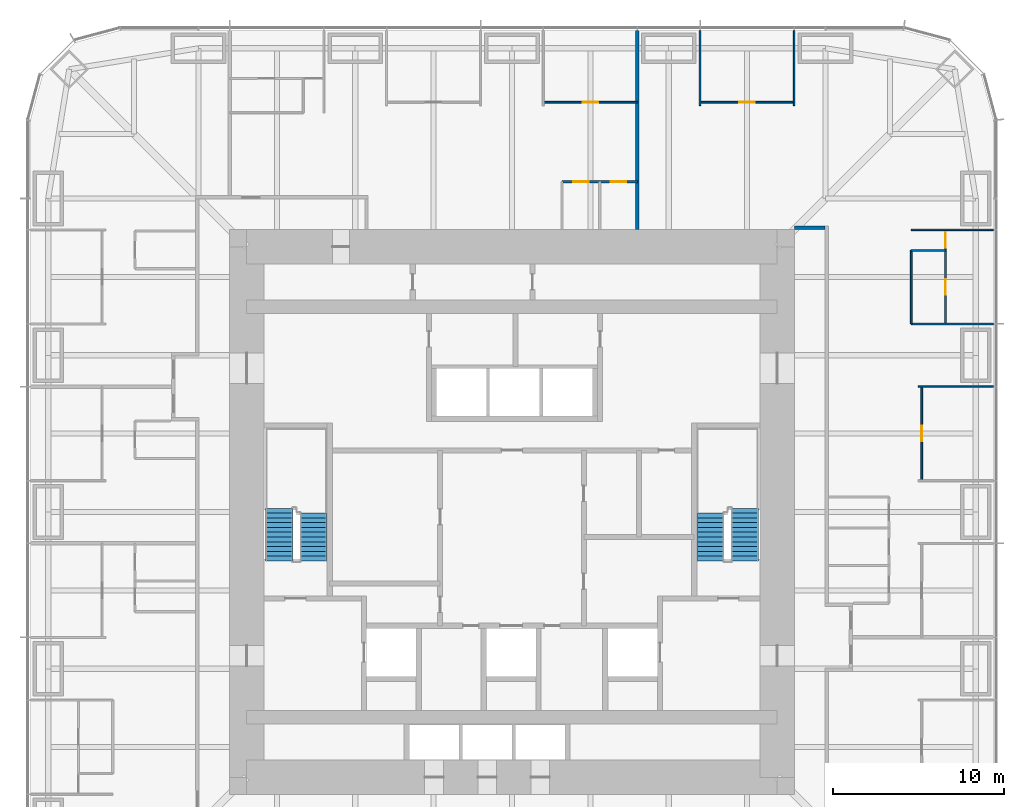
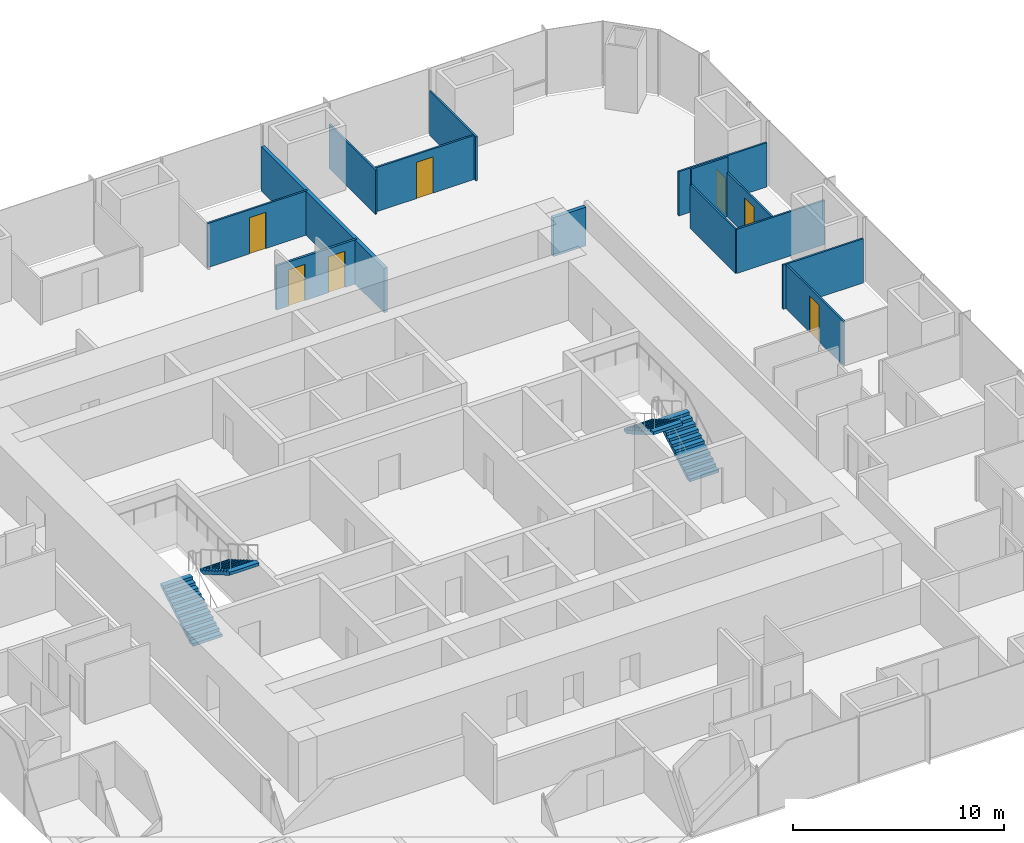
# One storey, part 11 of 12: 14 walls, 7 doors, 4 stair flights, 7 openings, 2 elements without a shape of their own.
"""IFC4 building model written with IfcOpenShell, lengths in metres."""

from ifc_helpers import new_model, si_unit, direction, frame, frame_2d, origin, place, context, subcontext, project, spatial, polyline, rectangle, outline, extrude, material, layer, layer_set, type_object, element, fill, aggregate, save


model = new_model("IFC4")

# Units and contexts
model_context = context("Model", 3, precision=1e-05, world=origin(), true_north=direction((0.0, 1.0)))
body_context = subcontext(model_context, "Body", "Model", "MODEL_VIEW")
ifc_project = project(units=[si_unit("LENGTHUNIT", "METRE"), si_unit("AREAUNIT", "SQUARE_METRE"), si_unit("VOLUMEUNIT", "CUBIC_METRE"), si_unit("PLANEANGLEUNIT", "RADIAN"), si_unit("MASSUNIT", "GRAM", prefix="KILO")], contexts=[model_context])

# Site, building, storey
site_placement = place(None, origin())
site = spatial("IfcSite", under=ifc_project, at=site_placement, CompositionType="ELEMENT")
building_placement = place(site_placement, origin())
building = spatial("IfcBuilding", under=site, at=building_placement, Name="Khuree Lantern Residences", CompositionType="ELEMENT")
storey_placement = place(building_placement, frame((0.0, 0.0, 182.25)))
storey = spatial("IfcBuildingStorey", under=building, at=storey_placement, Name="L46", CompositionType="ELEMENT", Elevation=182.25)

# Wall, openings, doors
ifc_material_1 = material(Name="Moisture-resistant gypsum board on steel studs", Category="steel")
ifc_layer_1 = layer(ifc_material_1, 0.125)
ifc_layer_set_1 = layer_set([ifc_layer_1], Name="BATHROOM WALL BTW125")
wall_type_1 = type_object("IfcWallType", Name="BATHROOM WALL BTW125", PredefinedType="PARTITIONING", material=ifc_layer_set_1)
wall_1_placement = place(storey_placement, frame((7.327880859375, 19.300048828125, 0.0), z_axis=(0.0, 0.0, 1.0), x_axis=(-1.0, 0.0, 0.0)))
wall_1 = element("IfcWall", 1, at=wall_1_placement, inside=storey, type_object=wall_type_1, Name="L46 BATHROOM WALL 02", PredefinedType="PARTITIONING", context=body_context, shape_type="SweptSolid", body=[
    extrude(rectangle(XDim=4.39990234375, YDim=0.125, at=frame_2d((2.199951171875, 0.0))), origin(), (0.0, 0.0, 1.0), 2.56005859375),
])
opening_1_placement = place(wall_1_placement, frame((0.64990234375, 0.0, 0.0)))
opening_1 = element("IfcOpeningElement", 2, at=opening_1_placement, cuts=wall_1, Name="Opening 46-039", PredefinedType="OPENING", context=body_context, shape_type="SweptSolid", body=[
    extrude(rectangle(XDim=0.89990234375, YDim=2.10009765625, at=frame_2d((0.449951171875, 1.050048828125))), frame((0.0, 0.072509765625, 0.0), z_axis=(0.0, -1.0, 0.0), x_axis=(1.0, 0.0, 0.0)), (0.0, 0.0, 1.0), 0.14501953125),
])
opening_2_placement = place(wall_1_placement, frame((2.85009765625, 0.0, 0.0)))
opening_2 = element("IfcOpeningElement", 3, at=opening_2_placement, cuts=wall_1, Name="Opening 46-040", PredefinedType="OPENING", context=body_context, shape_type="SweptSolid", body=[
    extrude(rectangle(XDim=0.89990234375, YDim=2.10009765625, at=frame_2d((0.449951171875, 1.050048828125))), frame((0.0, 0.072509765625, 0.0), z_axis=(0.0, -1.0, 0.0), x_axis=(1.0, 0.0, 0.0)), (0.0, 0.0, 1.0), 0.14501953125),
])
ifc_material_2 = material(Name="Timber door leaf in hardwood frame", Category="wood")
door_type_1 = type_object("IfcDoorType", Name="BATHROOM DOOR 900X2100", OperationType="SINGLE_SWING_LEFT", PredefinedType="DOOR", material=ifc_material_2)
door_1_placement = place(opening_1_placement, origin())
door_1 = element("IfcDoor", 4, at=door_1_placement, inside=storey, type_object=door_type_1, Name="Bathroom door 46-039", OperationType="SINGLE_SWING_LEFT", OverallHeight=2.10009765625, OverallWidth=0.89990234375, PredefinedType="DOOR", context=body_context, shape_type="SweptSolid", body=[
    extrude(rectangle(XDim=0.89990234375, YDim=2.10009765625, at=frame_2d((0.449951171875, 1.050048828125))), frame((0.0, 0.02490234375, 0.0), z_axis=(0.0, -1.0, 0.0), x_axis=(1.0, 0.0, 0.0)), (0.0, 0.0, 1.0), 0.050048828125),
])
fill(opening_1, door_1)
door_2_placement = place(opening_2_placement, origin())
door_2 = element("IfcDoor", 5, at=door_2_placement, inside=storey, type_object=door_type_1, Name="Bathroom door 46-040", OperationType="SINGLE_SWING_LEFT", OverallHeight=2.10009765625, OverallWidth=0.89990234375, PredefinedType="DOOR", context=body_context, shape_type="SweptSolid", body=[
    extrude(rectangle(XDim=0.89990234375, YDim=2.10009765625, at=frame_2d((0.449951171875, 1.050048828125))), frame((0.0, 0.02490234375, 0.0), z_axis=(0.0, -1.0, 0.0), x_axis=(1.0, 0.0, 0.0)), (0.0, 0.0, 1.0), 0.050048828125),
])
fill(opening_2, door_2)

# Walls
ifc_material_3 = material(Name="Gypsum board on steel studs", Category="steel")
ifc_layer_2 = layer(ifc_material_3, 0.199951171875)
ifc_layer_set_2 = layer_set([ifc_layer_2], Name="CORRIDOR WALL CRW200 EI 60")
wall_type_2 = type_object("IfcWallType", Name="CORRIDOR WALL CRW200 EI 60", PredefinedType="PARTITIONING", material=ifc_layer_set_2)
wall_2_placement = place(storey_placement, frame((16.5, 16.60009765625, 0.0), z_axis=(0.0, 0.0, 1.0), x_axis=(1.0, 0.0, 0.0)))
element("IfcWall", 6, at=wall_2_placement, inside=storey, type_object=wall_type_2, Name="L46 EAST CORRIDOR NORTH END WALL", PredefinedType="PARTITIONING", context=body_context, shape_type="SweptSolid", body=[
    extrude(rectangle(XDim=1.800048828125, YDim=0.199951171875, at=frame_2d((0.89990234375, 0.0))), origin(), (0.0, 0.0, 1.0), 2.25),
])
ifc_layer_3 = layer(ifc_material_3, 0.199951171875)
ifc_layer_set_3 = layer_set([ifc_layer_3], Name="DEMISING WALL DMW200 EI 90")
wall_type_3 = type_object("IfcWallType", Name="DEMISING WALL DMW200 EI 90", PredefinedType="PARTITIONING", material=ifc_layer_set_3)
wall_3_placement = place(storey_placement, frame((7.327880859375, 16.5, 0.0), z_axis=(0.0, 0.0, 1.0), x_axis=(0.0, 1.0, 0.0)))
element("IfcWall", 7, at=wall_3_placement, inside=storey, type_object=wall_type_3, Name="L46 DEMISING WALL 02", PredefinedType="PARTITIONING", context=body_context, shape_type="SweptSolid", body=[
    extrude(rectangle(XDim=11.64990234375, YDim=0.199951171875, at=frame_2d((5.824951171875, 0.0))), origin(), (0.0, 0.0, 1.0), 2.56005859375),
])
ifc_layer_4 = layer(ifc_material_3, 0.10009765625)
ifc_layer_set_4 = layer_set([ifc_layer_4], Name="PARTITION PT100")
wall_type_4 = type_object("IfcWallType", Name="PARTITION PT100", PredefinedType="PARTITIONING", material=ifc_layer_set_4)
wall_4_placement = place(storey_placement, frame((23.75, 7.327880859375, 0.0), z_axis=(0.0, 0.0, 1.0), x_axis=(1.0, 0.0, 0.0)))
element("IfcWall", 8, at=wall_4_placement, inside=storey, type_object=wall_type_4, Name="L46 PARTITION 01", PredefinedType="PARTITIONING", context=body_context, shape_type="SweptSolid", body=[
    extrude(rectangle(XDim=4.39990234375, YDim=0.10009765625, at=frame_2d((2.199951171875, 0.0))), origin(), (0.0, 0.0, 1.0), 2.56005859375),
])
for number, where, z_axis, x_axis, name in (
    (9, (23.329833984375, 10.991943359375, 0.0), (0.0, 0.0, 1.0), (1.0, 0.0, 0.0), "L46 PARTITION 01"),
    (10, (23.329833984375, 16.488037109375, 0.0), (0.0, 0.0, 1.0), (1.0, 0.0, 0.0), "L46 PARTITION 01"),
):
    element("IfcWall", number, at=place(storey_placement, frame(where, z_axis=z_axis, x_axis=x_axis)), inside=storey, type_object=wall_type_4, Name=name, PredefinedType="PARTITIONING", context=body_context, shape_type="SweptSolid", body=[
        extrude(rectangle(XDim=4.820068359375, YDim=0.10009765625, at=frame_2d((2.41015625, 0.0))), origin(), (0.0, 0.0, 1.0), 2.56005859375),
    ])
for number, where, z_axis, x_axis, name in (
    (11, (16.488037109375, 23.75, 0.0), (0.0, 0.0, 1.0), (0.0, 1.0, 0.0), "L46 PARTITION 01"),
    (12, (10.991943359375, 23.75, 0.0), (0.0, 0.0, 1.0), (0.0, 1.0, 0.0), "L46 PARTITION 01"),
):
    element("IfcWall", number, at=place(storey_placement, frame(where, z_axis=z_axis, x_axis=x_axis)), inside=storey, type_object=wall_type_4, Name=name, PredefinedType="PARTITIONING", context=body_context, shape_type="SweptSolid", body=[
        extrude(rectangle(XDim=4.39990234375, YDim=0.10009765625, at=frame_2d((2.199951171875, 0.0))), origin(), (0.0, 0.0, 1.0), 2.56005859375),
    ])

# Wall, opening, door
wall_5_placement = place(storey_placement, frame((23.949951171875, 1.83203125, 0.0), z_axis=(0.0, 0.0, 1.0), x_axis=(0.0, 1.0, 0.0)))
wall_5 = element("IfcWall", 13, at=wall_5_placement, inside=storey, type_object=wall_type_4, Name="L46 PARTITION 01", PredefinedType="PARTITIONING", context=body_context, shape_type="SweptSolid", body=[
    extrude(rectangle(XDim=5.495849609375, YDim=0.10009765625, at=frame_2d((2.748046875, 0.0))), origin(), (0.0, 0.0, 1.0), 2.56005859375),
])
opening_3_placement = place(wall_5_placement, frame((2.298095703125, 0.0, 0.0)))
opening_3 = element("IfcOpeningElement", 14, at=opening_3_placement, cuts=wall_5, Name="Opening 46-027", PredefinedType="OPENING", context=body_context, shape_type="SweptSolid", body=[
    extrude(rectangle(XDim=0.89990234375, YDim=2.10009765625, at=frame_2d((0.449951171875, 1.050048828125))), frame((0.0, 0.06005859375, 0.0), z_axis=(0.0, -1.0, 0.0), x_axis=(1.0, 0.0, 0.0)), (0.0, 0.0, 1.0), 0.1201171875),
])
door_type_2 = type_object("IfcDoorType", Name="BEDROOM DOOR 900X2100", OperationType="SINGLE_SWING_LEFT", PredefinedType="DOOR", material=ifc_material_2)
door_3_placement = place(opening_3_placement, origin())
door_3 = element("IfcDoor", 15, at=door_3_placement, inside=storey, type_object=door_type_2, Name="Bedroom door 46-027", OperationType="SINGLE_SWING_LEFT", OverallHeight=2.10009765625, OverallWidth=0.89990234375, PredefinedType="DOOR", context=body_context, shape_type="SweptSolid", body=[
    extrude(rectangle(XDim=0.89990234375, YDim=2.10009765625, at=frame_2d((0.449951171875, 1.050048828125))), frame((0.0, 0.02490234375, 0.0), z_axis=(0.0, -1.0, 0.0), x_axis=(1.0, 0.0, 0.0)), (0.0, 0.0, 1.0), 0.050048828125),
])
fill(opening_3, door_3)

# Wall, openings, doors
wall_6_placement = place(storey_placement, frame((25.329833984375, 10.991943359375, 0.0), z_axis=(0.0, 0.0, 1.0), x_axis=(0.0, 1.0, 0.0)))
wall_6 = element("IfcWall", 16, at=wall_6_placement, inside=storey, type_object=wall_type_4, Name="L46 PARTITION 01", PredefinedType="PARTITIONING", context=body_context, shape_type="SweptSolid", body=[
    extrude(rectangle(XDim=5.49609375, YDim=0.10009765625, at=frame_2d((2.748046875, 0.0))), origin(), (0.0, 0.0, 1.0), 2.56005859375),
])
opening_4_placement = place(wall_6_placement, frame((4.446044921875, 0.0, 0.0)))
opening_4 = element("IfcOpeningElement", 17, at=opening_4_placement, cuts=wall_6, Name="Opening 46-028", PredefinedType="OPENING", context=body_context, shape_type="SweptSolid", body=[
    extrude(rectangle(XDim=0.89990234375, YDim=2.10009765625, at=frame_2d((0.449951171875, 1.050048828125))), frame((0.0, 0.06005859375, 0.0), z_axis=(0.0, -1.0, 0.0), x_axis=(1.0, 0.0, 0.0)), (0.0, 0.0, 1.0), 0.1201171875),
])
opening_5_placement = place(wall_6_placement, frame((1.697998046875, 0.0, 0.0)))
opening_5 = element("IfcOpeningElement", 18, at=opening_5_placement, cuts=wall_6, Name="Opening 46-029", PredefinedType="OPENING", context=body_context, shape_type="SweptSolid", body=[
    extrude(rectangle(XDim=0.89990234375, YDim=2.10009765625, at=frame_2d((0.449951171875, 1.050048828125))), frame((0.0, 0.06005859375, 0.0), z_axis=(0.0, -1.0, 0.0), x_axis=(1.0, 0.0, 0.0)), (0.0, 0.0, 1.0), 0.1201171875),
])
door_4_placement = place(opening_4_placement, origin())
door_4 = element("IfcDoor", 19, at=door_4_placement, inside=storey, type_object=door_type_2, Name="Bedroom door 46-028", OperationType="SINGLE_SWING_LEFT", OverallHeight=2.10009765625, OverallWidth=0.89990234375, PredefinedType="DOOR", context=body_context, shape_type="SweptSolid", body=[
    extrude(rectangle(XDim=0.89990234375, YDim=2.10009765625, at=frame_2d((0.449951171875, 1.050048828125))), frame((0.0, 0.02490234375, 0.0), z_axis=(0.0, -1.0, 0.0), x_axis=(1.0, 0.0, 0.0)), (0.0, 0.0, 1.0), 0.050048828125),
])
fill(opening_4, door_4)
door_type_3 = type_object("IfcDoorType", Name="DOOR 900X2100", OperationType="SINGLE_SWING_LEFT", PredefinedType="DOOR", material=ifc_material_2)
door_5_placement = place(opening_5_placement, origin())
door_5 = element("IfcDoor", 20, at=door_5_placement, inside=storey, type_object=door_type_3, Name="Wardrobe door 46-029", OperationType="SINGLE_SWING_LEFT", OverallHeight=2.10009765625, OverallWidth=0.89990234375, PredefinedType="DOOR", context=body_context, shape_type="SweptSolid", body=[
    extrude(rectangle(XDim=0.89990234375, YDim=2.10009765625, at=frame_2d((0.449951171875, 1.050048828125))), frame((0.0, 0.02490234375, 0.0), z_axis=(0.0, -1.0, 0.0), x_axis=(1.0, 0.0, 0.0)), (0.0, 0.0, 1.0), 0.050048828125),
])
fill(opening_5, door_5)

# Walls
wall_7_placement = place(storey_placement, frame((23.329833984375, 15.2880859375, 0.0), z_axis=(0.0, 0.0, 1.0), x_axis=(1.0, 0.0, 0.0)))
element("IfcWall", 21, at=wall_7_placement, inside=storey, type_object=wall_type_4, Name="L46 PARTITION 01", PredefinedType="PARTITIONING", context=body_context, shape_type="SweptSolid", body=[
    extrude(rectangle(XDim=2.0, YDim=0.10009765625, at=frame_2d((1.0, 0.0))), origin(), (0.0, 0.0, 1.0), 3.449951171875),
])
wall_8_placement = place(storey_placement, frame((23.329833984375, 10.991943359375, 0.0), z_axis=(0.0, 0.0, 1.0), x_axis=(0.0, 1.0, 0.0)))
element("IfcWall", 22, at=wall_8_placement, inside=storey, type_object=wall_type_4, Name="L46 PARTITION 01", PredefinedType="PARTITIONING", context=body_context, shape_type="SweptSolid", body=[
    extrude(rectangle(XDim=4.296142578125, YDim=0.10009765625, at=frame_2d((2.14794921875, 0.0))), origin(), (0.0, 0.0, 1.0), 2.56005859375),
])

# Wall, opening, door
wall_9_placement = place(storey_placement, frame((16.488037109375, 23.949951171875, 0.0), z_axis=(0.0, 0.0, 1.0), x_axis=(-1.0, 0.0, 0.0)))
wall_9 = element("IfcWall", 23, at=wall_9_placement, inside=storey, type_object=wall_type_4, Name="L46 PARTITION 01", PredefinedType="PARTITIONING", context=body_context, shape_type="SweptSolid", body=[
    extrude(rectangle(XDim=5.49609375, YDim=0.10009765625, at=frame_2d((2.748046875, 0.0))), origin(), (0.0, 0.0, 1.0), 2.56005859375),
])
opening_6_placement = place(wall_9_placement, frame((2.298095703125, 0.0, 0.0)))
opening_6 = element("IfcOpeningElement", 24, at=opening_6_placement, cuts=wall_9, Name="Opening 46-030", PredefinedType="OPENING", context=body_context, shape_type="SweptSolid", body=[
    extrude(rectangle(XDim=0.89990234375, YDim=2.10009765625, at=frame_2d((0.449951171875, 1.050048828125))), frame((0.0, 0.06005859375, 0.0), z_axis=(0.0, -1.0, 0.0), x_axis=(1.0, 0.0, 0.0)), (0.0, 0.0, 1.0), 0.1201171875),
])
door_6_placement = place(opening_6_placement, origin())
door_6 = element("IfcDoor", 25, at=door_6_placement, inside=storey, type_object=door_type_2, Name="Bedroom door 46-030", OperationType="SINGLE_SWING_LEFT", OverallHeight=2.10009765625, OverallWidth=0.89990234375, PredefinedType="DOOR", context=body_context, shape_type="SweptSolid", body=[
    extrude(rectangle(XDim=0.89990234375, YDim=2.10009765625, at=frame_2d((0.449951171875, 1.050048828125))), frame((0.0, 0.02490234375, 0.0), z_axis=(0.0, -1.0, 0.0), x_axis=(1.0, 0.0, 0.0)), (0.0, 0.0, 1.0), 0.050048828125),
])
fill(opening_6, door_6)

wall_10_placement = place(storey_placement, frame((7.327880859375, 23.949951171875, 0.0), z_axis=(0.0, 0.0, 1.0), x_axis=(-1.0, 0.0, 0.0)))
wall_10 = element("IfcWall", 26, at=wall_10_placement, inside=storey, type_object=wall_type_4, Name="L46 PARTITION 02", PredefinedType="PARTITIONING", context=body_context, shape_type="SweptSolid", body=[
    extrude(rectangle(XDim=5.495849609375, YDim=0.10009765625, at=frame_2d((2.748046875, 0.0))), origin(), (0.0, 0.0, 1.0), 2.56005859375),
])
opening_7_placement = place(wall_10_placement, frame((2.298095703125, 0.0, 0.0)))
opening_7 = element("IfcOpeningElement", 27, at=opening_7_placement, cuts=wall_10, Name="Opening 46-035", PredefinedType="OPENING", context=body_context, shape_type="SweptSolid", body=[
    extrude(rectangle(XDim=0.89990234375, YDim=2.10009765625, at=frame_2d((0.449951171875, 1.050048828125))), frame((0.0, 0.06005859375, 0.0), z_axis=(0.0, -1.0, 0.0), x_axis=(1.0, 0.0, 0.0)), (0.0, 0.0, 1.0), 0.1201171875),
])
door_7_placement = place(opening_7_placement, origin())
door_7 = element("IfcDoor", 28, at=door_7_placement, inside=storey, type_object=door_type_2, Name="Bedroom door 46-035", OperationType="SINGLE_SWING_LEFT", OverallHeight=2.10009765625, OverallWidth=0.89990234375, PredefinedType="DOOR", context=body_context, shape_type="SweptSolid", body=[
    extrude(rectangle(XDim=0.89990234375, YDim=2.10009765625, at=frame_2d((0.449951171875, 1.050048828125))), frame((0.0, 0.02490234375, 0.0), z_axis=(0.0, -1.0, 0.0), x_axis=(1.0, 0.0, 0.0)), (0.0, 0.0, 1.0), 0.050048828125),
])
fill(opening_7, door_7)

# Stair, stair flights
ifc_material_4 = material(Name="Concrete C40/50", Category="concrete")
stair_type = type_object("IfcStairType", Name="STAIR ST1 HALF TURN 3600", PredefinedType="HALF_TURN_STAIR", material=ifc_material_4)
stair_1_placement = place(storey_placement, origin())
stair_1 = element("IfcStair", 29, at=stair_1_placement, inside=storey, type_object=stair_type, Name="Stair ST1", PredefinedType="HALF_TURN_STAIR")
stair_flight_type = type_object("IfcStairFlightType", Name="STAIR FLIGHT SF1 1600", PredefinedType="STRAIGHT", material=ifc_material_4)
stair_flight_1_placement = place(storey_placement, frame((-13.60009765625, -2.860107421875, 0.0), z_axis=(0.0, 0.0, 1.0), x_axis=(0.0, 1.0, 0.0)))
stair_flight_1 = element("IfcStairFlight", 30, at=stair_flight_1_placement, type_object=stair_flight_type, Name="ST1 flight 1", NumberOfRisers=12, NumberOfTreads=11, PredefinedType="STRAIGHT", RiserHeight=0.163043478, TreadLength=0.28, context=body_context, shape_type="SweptSolid", body=[
    extrude(outline(polyline([(0.0, 0.0), (0.0, 0.1630859375), (0.280029296875, 0.1630859375), (0.280029296875, 0.326171875), (0.56005859375, 0.326171875), (0.56005859375, 0.489013671875), (0.840087890625, 0.489013671875), (0.840087890625, 0.652099609375), (1.1201171875, 0.652099609375), (1.1201171875, 0.815185546875), (1.39990234375, 0.815185546875), (1.39990234375, 0.978271484375), (1.679931640625, 0.978271484375), (1.679931640625, 1.141357421875), (1.9599609375, 1.141357421875), (1.9599609375, 1.304443359375), (2.239990234375, 1.304443359375), (2.239990234375, 1.46728515625), (2.52001953125, 1.46728515625), (2.52001953125, 1.63037109375), (2.800048828125, 1.63037109375), (2.800048828125, 1.79345703125), (3.080078125, 1.79345703125), (3.080078125, 1.95654296875), (3.080078125, 1.6201171875), (0.2978515625, 0.0), (0.0, 0.0)])), frame((0.0, 0.800048828125, 0.0), z_axis=(0.0, -1.0, 0.0), x_axis=(1.0, 0.0, 0.0)), (0.0, 0.0, 1.0), 1.60009765625),
])
stair_flight_2_placement = place(storey_placement, frame((-11.60009765625, -0.06005859375, 1.95654296875), z_axis=(0.0, 0.0, 1.0), x_axis=(0.0, -1.0, 0.0)))
stair_flight_2 = element("IfcStairFlight", 31, at=stair_flight_2_placement, type_object=stair_flight_type, Name="ST1 flight 2", NumberOfRisers=11, NumberOfTreads=10, PredefinedType="STRAIGHT", RiserHeight=0.163043478, TreadLength=0.28, context=body_context, shape_type="SweptSolid", body=[
    extrude(outline(polyline([(0.0, 0.0), (0.0, 0.1630859375), (0.280029296875, 0.1630859375), (0.280029296875, 0.326171875), (0.56005859375, 0.326171875), (0.56005859375, 0.489013671875), (0.840087890625, 0.489013671875), (0.840087890625, 0.652099609375), (1.1201171875, 0.652099609375), (1.1201171875, 0.815185546875), (1.39990234375, 0.815185546875), (1.39990234375, 0.978271484375), (1.679931640625, 0.978271484375), (1.679931640625, 1.141357421875), (1.9599609375, 1.141357421875), (1.9599609375, 1.304443359375), (2.239990234375, 1.304443359375), (2.239990234375, 1.46728515625), (2.52001953125, 1.46728515625), (2.52001953125, 1.63037109375), (2.800048828125, 1.63037109375), (2.800048828125, 1.79345703125), (2.800048828125, 1.45703125), (0.2978515625, 0.0), (0.0, 0.0)])), frame((0.0, 0.800048828125, 0.0), z_axis=(0.0, -1.0, 0.0), x_axis=(1.0, 0.0, 0.0)), (0.0, 0.0, 1.0), 1.60009765625),
])
aggregate(stair_1, [stair_flight_1, stair_flight_2])

stair_2_placement = place(storey_placement, origin())
stair_2 = element("IfcStair", 32, at=stair_2_placement, inside=storey, type_object=stair_type, Name="Stair ST2", PredefinedType="HALF_TURN_STAIR")
stair_flight_3_placement = place(storey_placement, frame((13.60009765625, -2.860107421875, 0.0), z_axis=(0.0, 0.0, 1.0), x_axis=(0.0, 1.0, 0.0)))
stair_flight_3 = element("IfcStairFlight", 33, at=stair_flight_3_placement, type_object=stair_flight_type, Name="ST2 flight 1", NumberOfRisers=12, NumberOfTreads=11, PredefinedType="STRAIGHT", RiserHeight=0.163043478, TreadLength=0.28, context=body_context, shape_type="SweptSolid", body=[
    extrude(outline(polyline([(0.0, 0.0), (0.0, 0.1630859375), (0.280029296875, 0.1630859375), (0.280029296875, 0.326171875), (0.56005859375, 0.326171875), (0.56005859375, 0.489013671875), (0.840087890625, 0.489013671875), (0.840087890625, 0.652099609375), (1.1201171875, 0.652099609375), (1.1201171875, 0.815185546875), (1.39990234375, 0.815185546875), (1.39990234375, 0.978271484375), (1.679931640625, 0.978271484375), (1.679931640625, 1.141357421875), (1.9599609375, 1.141357421875), (1.9599609375, 1.304443359375), (2.239990234375, 1.304443359375), (2.239990234375, 1.46728515625), (2.52001953125, 1.46728515625), (2.52001953125, 1.63037109375), (2.800048828125, 1.63037109375), (2.800048828125, 1.79345703125), (3.080078125, 1.79345703125), (3.080078125, 1.95654296875), (3.080078125, 1.6201171875), (0.2978515625, 0.0), (0.0, 0.0)])), frame((0.0, 0.800048828125, 0.0), z_axis=(0.0, -1.0, 0.0), x_axis=(1.0, 0.0, 0.0)), (0.0, 0.0, 1.0), 1.60009765625),
])
stair_flight_4_placement = place(storey_placement, frame((11.60009765625, -0.06005859375, 1.95654296875), z_axis=(0.0, 0.0, 1.0), x_axis=(0.0, -1.0, 0.0)))
stair_flight_4 = element("IfcStairFlight", 34, at=stair_flight_4_placement, type_object=stair_flight_type, Name="ST2 flight 2", NumberOfRisers=11, NumberOfTreads=10, PredefinedType="STRAIGHT", RiserHeight=0.163043478, TreadLength=0.28, context=body_context, shape_type="SweptSolid", body=[
    extrude(outline(polyline([(0.0, 0.0), (0.0, 0.1630859375), (0.280029296875, 0.1630859375), (0.280029296875, 0.326171875), (0.56005859375, 0.326171875), (0.56005859375, 0.489013671875), (0.840087890625, 0.489013671875), (0.840087890625, 0.652099609375), (1.1201171875, 0.652099609375), (1.1201171875, 0.815185546875), (1.39990234375, 0.815185546875), (1.39990234375, 0.978271484375), (1.679931640625, 0.978271484375), (1.679931640625, 1.141357421875), (1.9599609375, 1.141357421875), (1.9599609375, 1.304443359375), (2.239990234375, 1.304443359375), (2.239990234375, 1.46728515625), (2.52001953125, 1.46728515625), (2.52001953125, 1.63037109375), (2.800048828125, 1.63037109375), (2.800048828125, 1.79345703125), (2.800048828125, 1.45703125), (0.2978515625, 0.0), (0.0, 0.0)])), frame((0.0, 0.800048828125, 0.0), z_axis=(0.0, -1.0, 0.0), x_axis=(1.0, 0.0, 0.0)), (0.0, 0.0, 1.0), 1.60009765625),
])
aggregate(stair_2, [stair_flight_3, stair_flight_4])

save(model, "model.ifc")
